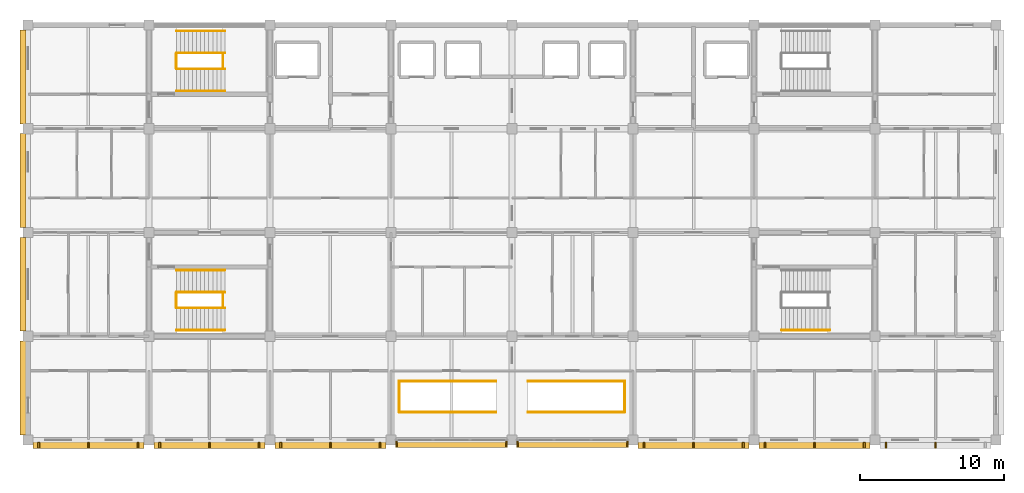
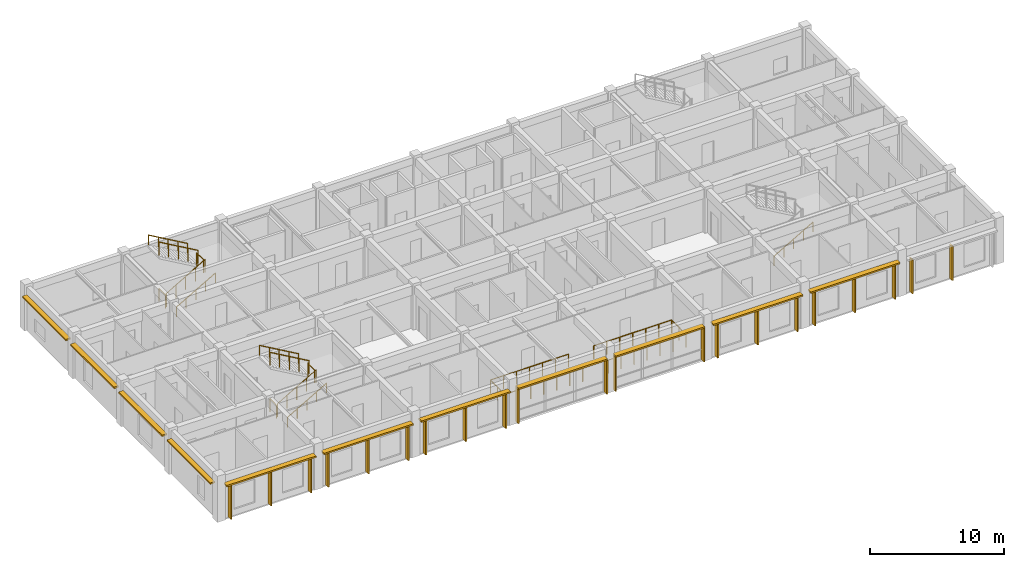
# One storey, part 16 of 17: 32 shading devices, 19 railings.
"""IFC4 building model written with IfcOpenShell, lengths in metres."""

from ifc_helpers import new_model, si_unit, direction, frame, origin, origin_2d, place, context, subcontext, project, spatial, rectangle, circle, extrude, material, type_object, element, save


model = new_model("IFC4")

# Units and contexts
model_context = context("Model", 3, precision=1e-05, world=origin(), true_north=direction((0.0, 1.0)))
body_context = subcontext(model_context, "Body", "Model", "MODEL_VIEW")
ifc_project = project(units=[si_unit("LENGTHUNIT", "METRE"), si_unit("AREAUNIT", "SQUARE_METRE"), si_unit("VOLUMEUNIT", "CUBIC_METRE"), si_unit("PLANEANGLEUNIT", "RADIAN"), si_unit("MASSUNIT", "GRAM", prefix="KILO")], contexts=[model_context])

# Site, building, storey
site_placement = place(None, origin())
site = spatial("IfcSite", under=ifc_project, at=site_placement, CompositionType="ELEMENT")
building_placement = place(site_placement, origin())
building = spatial("IfcBuilding", under=site, at=building_placement, Name="Chengyuan Square Courthouse", CompositionType="ELEMENT")
storey_placement = place(building_placement, frame((0.0, 0.0, 51.89990234375)))
storey = spatial("IfcBuildingStorey", under=building, at=storey_placement, Name="L12", CompositionType="ELEMENT", Elevation=51.89990234375)

# Railings
ifc_material_1 = material(Name="Tempered Glass and Timber Top-Rail Balustrade", Category="wood")
railing_type_1 = type_object("IfcRailingType", Name="RL-02", PredefinedType="BALUSTRADE", material=ifc_material_1)
for number, where, name in (
    (1, (60.68994140625, 105.0, 0.0), "Stair Floor Slot Guard ST-1 L12"),
    (2, (63.949951171875, 105.0, 2.10009765625), "Stair Landing Guard ST-1-L12"),
):
    element("IfcRailing", number, at=place(storey_placement, frame(where)), inside=storey, type_object=railing_type_1, Name=name, PredefinedType="BALUSTRADE", context=body_context, shape_type="SweptSolid", body=[
        extrude(circle(Radius=0.02392578125, at=origin_2d()), frame((0.0, 0.0, 1.17578125), z_axis=(0.0, 1.0, 0.0), x_axis=(-1.0, 0.0, 0.0)), (0.0, 0.0, 1.0), 1.0),
        extrude(circle(Radius=0.02099609375, at=origin_2d()), origin(), (0.0, 0.0, 1.0), 1.15185546875),
        extrude(circle(Radius=0.02099609375, at=origin_2d()), frame((0.0, 1.0, 0.0)), (0.0, 0.0, 1.0), 1.15185546875),
    ])
railing_1_placement = place(storey_placement, frame((60.7099609375, 104.949951171875, 0.16162109375)))
element("IfcRailing", 3, at=railing_1_placement, inside=storey, type_object=railing_type_1, Name="Stair Flight 1 Guard ST-1-L12", PredefinedType="BALUSTRADE", context=body_context, shape_type="SweptSolid", body=[
    extrude(circle(Radius=0.02392578125, at=origin_2d()), frame((0.0, 0.0, 1.17578125), z_axis=(0.866190824863, 0.0, 0.499713372768), x_axis=(0.0, 1.0, 0.0)), (0.0, 0.0, 1.0), 3.879150390625),
    extrude(circle(Radius=0.02099609375, at=origin_2d()), origin(), (0.0, 0.0, 1.0), 1.15185546875),
    extrude(circle(Radius=0.02099609375, at=origin_2d()), frame((0.840087890625, 0.0, 0.484619140625)), (0.0, 0.0, 1.0), 1.15185546875),
    extrude(circle(Radius=0.02099609375, at=origin_2d()), frame((1.68017578125, 0.0, 0.96923828125)), (0.0, 0.0, 1.0), 1.15185546875),
    extrude(circle(Radius=0.02099609375, at=origin_2d()), frame((2.52001953125, 0.0, 1.453857421875)), (0.0, 0.0, 1.0), 1.15185546875),
    extrude(circle(Radius=0.02099609375, at=origin_2d()), frame((3.360107421875, 0.0, 1.9384765625)), (0.0, 0.0, 1.0), 1.15185546875),
])
railing_2_placement = place(storey_placement, frame((64.070068359375, 106.050048828125, 2.26171875)))
element("IfcRailing", 4, at=railing_2_placement, inside=storey, type_object=railing_type_1, Name="Stair Flight 2 Guard ST-1-L12", PredefinedType="BALUSTRADE", context=body_context, shape_type="SweptSolid", body=[
    extrude(circle(Radius=0.02392578125, at=origin_2d()), frame((0.0, 0.0, 1.17578125), z_axis=(-0.866190824863, 0.0, 0.499713372768), x_axis=(0.0, -1.0, 0.0)), (0.0, 0.0, 1.0), 3.879150390625),
    extrude(circle(Radius=0.02099609375, at=origin_2d()), origin(), (0.0, 0.0, 1.0), 1.15185546875),
    extrude(circle(Radius=0.02099609375, at=origin_2d()), frame((-0.840087890625, 0.0, 0.484619140625)), (0.0, 0.0, 1.0), 1.15185546875),
    extrude(circle(Radius=0.02099609375, at=origin_2d()), frame((-1.68017578125, 0.0, 0.96923828125)), (0.0, 0.0, 1.0), 1.15185546875),
    extrude(circle(Radius=0.02099609375, at=origin_2d()), frame((-2.52001953125, 0.0, 1.453857421875)), (0.0, 0.0, 1.0), 1.15185546875),
    extrude(circle(Radius=0.02099609375, at=origin_2d()), frame((-3.360107421875, 0.0, 1.9384765625)), (0.0, 0.0, 1.0), 1.15185546875),
])
for number, where, name in (
    (5, (60.68994140625, 88.39990234375, 0.0), "Stair Floor Slot Guard ST-3 L12"),
    (6, (63.949951171875, 88.39990234375, 2.10009765625), "Stair Landing Guard ST-3-L12"),
):
    element("IfcRailing", number, at=place(storey_placement, frame(where)), inside=storey, type_object=railing_type_1, Name=name, PredefinedType="BALUSTRADE", context=body_context, shape_type="SweptSolid", body=[
        extrude(circle(Radius=0.02392578125, at=origin_2d()), frame((0.0, 0.0, 1.17578125), z_axis=(0.0, 1.0, 0.0), x_axis=(-1.0, 0.0, 0.0)), (0.0, 0.0, 1.0), 1.0),
        extrude(circle(Radius=0.02099609375, at=origin_2d()), origin(), (0.0, 0.0, 1.0), 1.15185546875),
        extrude(circle(Radius=0.02099609375, at=origin_2d()), frame((0.0, 1.0, 0.0)), (0.0, 0.0, 1.0), 1.15185546875),
    ])
railing_3_placement = place(storey_placement, frame((60.7099609375, 88.35009765625, 0.16162109375)))
element("IfcRailing", 7, at=railing_3_placement, inside=storey, type_object=railing_type_1, Name="Stair Flight 1 Guard ST-3-L12", PredefinedType="BALUSTRADE", context=body_context, shape_type="SweptSolid", body=[
    extrude(circle(Radius=0.02392578125, at=origin_2d()), frame((0.0, 0.0, 1.17578125), z_axis=(0.866190824863, 0.0, 0.499713372768), x_axis=(0.0, 1.0, 0.0)), (0.0, 0.0, 1.0), 3.879150390625),
    extrude(circle(Radius=0.02099609375, at=origin_2d()), origin(), (0.0, 0.0, 1.0), 1.15185546875),
    extrude(circle(Radius=0.02099609375, at=origin_2d()), frame((0.840087890625, 0.0, 0.484619140625)), (0.0, 0.0, 1.0), 1.15185546875),
    extrude(circle(Radius=0.02099609375, at=origin_2d()), frame((1.68017578125, 0.0, 0.96923828125)), (0.0, 0.0, 1.0), 1.15185546875),
    extrude(circle(Radius=0.02099609375, at=origin_2d()), frame((2.52001953125, 0.0, 1.453857421875)), (0.0, 0.0, 1.0), 1.15185546875),
    extrude(circle(Radius=0.02099609375, at=origin_2d()), frame((3.360107421875, 0.0, 1.9384765625)), (0.0, 0.0, 1.0), 1.15185546875),
])
railing_4_placement = place(storey_placement, frame((64.070068359375, 89.449951171875, 2.26171875)))
element("IfcRailing", 8, at=railing_4_placement, inside=storey, type_object=railing_type_1, Name="Stair Flight 2 Guard ST-3-L12", PredefinedType="BALUSTRADE", context=body_context, shape_type="SweptSolid", body=[
    extrude(circle(Radius=0.02392578125, at=origin_2d()), frame((0.0, 0.0, 1.17578125), z_axis=(-0.866190824863, 0.0, 0.499713372768), x_axis=(0.0, -1.0, 0.0)), (0.0, 0.0, 1.0), 3.879150390625),
    extrude(circle(Radius=0.02099609375, at=origin_2d()), origin(), (0.0, 0.0, 1.0), 1.15185546875),
    extrude(circle(Radius=0.02099609375, at=origin_2d()), frame((-0.840087890625, 0.0, 0.484619140625)), (0.0, 0.0, 1.0), 1.15185546875),
    extrude(circle(Radius=0.02099609375, at=origin_2d()), frame((-1.68017578125, 0.0, 0.96923828125)), (0.0, 0.0, 1.0), 1.15185546875),
    extrude(circle(Radius=0.02099609375, at=origin_2d()), frame((-2.52001953125, 0.0, 1.453857421875)), (0.0, 0.0, 1.0), 1.15185546875),
    extrude(circle(Radius=0.02099609375, at=origin_2d()), frame((-3.360107421875, 0.0, 1.9384765625)), (0.0, 0.0, 1.0), 1.15185546875),
])
railing_5_placement = place(storey_placement, frame((82.89990234375, 81.1201171875, 0.0)))
element("IfcRailing", 9, at=railing_5_placement, inside=storey, type_object=railing_type_1, Name="Feature Stair Well Guard ST-11E S", PredefinedType="BALUSTRADE", context=body_context, shape_type="SweptSolid", body=[
    extrude(circle(Radius=0.02392578125, at=origin_2d()), frame((0.0, 0.0, 1.17578125), z_axis=(-1.0, 0.0, 0.0), x_axis=(0.0, -1.0, 0.0)), (0.0, 0.0, 1.0), 6.72998046875),
    extrude(circle(Radius=0.02099609375, at=origin_2d()), origin(), (0.0, 0.0, 1.0), 1.15185546875),
    extrude(circle(Radius=0.02099609375, at=origin_2d()), frame((-1.12158203125, 0.0, 0.0)), (0.0, 0.0, 1.0), 1.15185546875),
    extrude(circle(Radius=0.02099609375, at=origin_2d()), frame((-2.243408203125, 0.0, 0.0)), (0.0, 0.0, 1.0), 1.15185546875),
    extrude(circle(Radius=0.02099609375, at=origin_2d()), frame((-3.364990234375, 0.0, 0.0)), (0.0, 0.0, 1.0), 1.15185546875),
    extrude(circle(Radius=0.02099609375, at=origin_2d()), frame((-4.486572265625, 0.0, 0.0)), (0.0, 0.0, 1.0), 1.15185546875),
    extrude(circle(Radius=0.02099609375, at=origin_2d()), frame((-5.6083984375, 0.0, 0.0)), (0.0, 0.0, 1.0), 1.15185546875),
    extrude(circle(Radius=0.02099609375, at=origin_2d()), frame((-6.72998046875, 0.0, 0.0)), (0.0, 0.0, 1.0), 1.15185546875),
])
railing_6_placement = place(storey_placement, frame((76.169921875, 81.1201171875, 0.0)))
element("IfcRailing", 10, at=railing_6_placement, inside=storey, type_object=railing_type_1, Name="Feature Stair Well Guard ST-11E W", PredefinedType="BALUSTRADE", context=body_context, shape_type="SweptSolid", body=[
    extrude(circle(Radius=0.02392578125, at=origin_2d()), frame((0.0, 0.0, 1.17578125), z_axis=(0.0, 1.0, 0.0), x_axis=(-1.0, 0.0, 0.0)), (0.0, 0.0, 1.0), 2.159912109375),
    extrude(circle(Radius=0.02099609375, at=origin_2d()), origin(), (0.0, 0.0, 1.0), 1.15185546875),
    extrude(circle(Radius=0.02099609375, at=origin_2d()), frame((0.0, 1.080078125, 0.0)), (0.0, 0.0, 1.0), 1.15185546875),
    extrude(circle(Radius=0.02099609375, at=origin_2d()), frame((0.0, 2.159912109375, 0.0)), (0.0, 0.0, 1.0), 1.15185546875),
])
for number, where, name in (
    (11, (76.169921875, 83.280029296875, 0.0), "Feature Stair Well Guard ST-11E N"),
    (12, (85.10009765625, 81.1201171875, 0.0), "Feature Stair Well Guard ST-11F S"),
):
    element("IfcRailing", number, at=place(storey_placement, frame(where)), inside=storey, type_object=railing_type_1, Name=name, PredefinedType="BALUSTRADE", context=body_context, shape_type="SweptSolid", body=[
        extrude(circle(Radius=0.02392578125, at=origin_2d()), frame((0.0, 0.0, 1.17578125), z_axis=(1.0, 0.0, 0.0), x_axis=(0.0, 1.0, 0.0)), (0.0, 0.0, 1.0), 6.72998046875),
        extrude(circle(Radius=0.02099609375, at=origin_2d()), origin(), (0.0, 0.0, 1.0), 1.15185546875),
        extrude(circle(Radius=0.02099609375, at=origin_2d()), frame((1.12158203125, 0.0, 0.0)), (0.0, 0.0, 1.0), 1.15185546875),
        extrude(circle(Radius=0.02099609375, at=origin_2d()), frame((2.243408203125, 0.0, 0.0)), (0.0, 0.0, 1.0), 1.15185546875),
        extrude(circle(Radius=0.02099609375, at=origin_2d()), frame((3.364990234375, 0.0, 0.0)), (0.0, 0.0, 1.0), 1.15185546875),
        extrude(circle(Radius=0.02099609375, at=origin_2d()), frame((4.486572265625, 0.0, 0.0)), (0.0, 0.0, 1.0), 1.15185546875),
        extrude(circle(Radius=0.02099609375, at=origin_2d()), frame((5.6083984375, 0.0, 0.0)), (0.0, 0.0, 1.0), 1.15185546875),
        extrude(circle(Radius=0.02099609375, at=origin_2d()), frame((6.72998046875, 0.0, 0.0)), (0.0, 0.0, 1.0), 1.15185546875),
    ])
railing_7_placement = place(storey_placement, frame((91.830078125, 81.1201171875, 0.0)))
element("IfcRailing", 13, at=railing_7_placement, inside=storey, type_object=railing_type_1, Name="Feature Stair Well Guard ST-11F E", PredefinedType="BALUSTRADE", context=body_context, shape_type="SweptSolid", body=[
    extrude(circle(Radius=0.02392578125, at=origin_2d()), frame((0.0, 0.0, 1.17578125), z_axis=(0.0, 1.0, 0.0), x_axis=(-1.0, 0.0, 0.0)), (0.0, 0.0, 1.0), 2.159912109375),
    extrude(circle(Radius=0.02099609375, at=origin_2d()), origin(), (0.0, 0.0, 1.0), 1.15185546875),
    extrude(circle(Radius=0.02099609375, at=origin_2d()), frame((0.0, 1.080078125, 0.0)), (0.0, 0.0, 1.0), 1.15185546875),
    extrude(circle(Radius=0.02099609375, at=origin_2d()), frame((0.0, 2.159912109375, 0.0)), (0.0, 0.0, 1.0), 1.15185546875),
])
railing_8_placement = place(storey_placement, frame((91.830078125, 83.280029296875, 0.0)))
element("IfcRailing", 14, at=railing_8_placement, inside=storey, type_object=railing_type_1, Name="Feature Stair Well Guard ST-11F N", PredefinedType="BALUSTRADE", context=body_context, shape_type="SweptSolid", body=[
    extrude(circle(Radius=0.02392578125, at=origin_2d()), frame((0.0, 0.0, 1.17578125), z_axis=(-1.0, 0.0, 0.0), x_axis=(0.0, -1.0, 0.0)), (0.0, 0.0, 1.0), 6.72998046875),
    extrude(circle(Radius=0.02099609375, at=origin_2d()), origin(), (0.0, 0.0, 1.0), 1.15185546875),
    extrude(circle(Radius=0.02099609375, at=origin_2d()), frame((-1.12158203125, 0.0, 0.0)), (0.0, 0.0, 1.0), 1.15185546875),
    extrude(circle(Radius=0.02099609375, at=origin_2d()), frame((-2.243408203125, 0.0, 0.0)), (0.0, 0.0, 1.0), 1.15185546875),
    extrude(circle(Radius=0.02099609375, at=origin_2d()), frame((-3.364990234375, 0.0, 0.0)), (0.0, 0.0, 1.0), 1.15185546875),
    extrude(circle(Radius=0.02099609375, at=origin_2d()), frame((-4.486572265625, 0.0, 0.0)), (0.0, 0.0, 1.0), 1.15185546875),
    extrude(circle(Radius=0.02099609375, at=origin_2d()), frame((-5.6083984375, 0.0, 0.0)), (0.0, 0.0, 1.0), 1.15185546875),
    extrude(circle(Radius=0.02099609375, at=origin_2d()), frame((-6.72998046875, 0.0, 0.0)), (0.0, 0.0, 1.0), 1.15185546875),
])
ifc_material_2 = material(Name="Stainless Steel S30408 Stair Handrail", Category="steel")
railing_type_2 = type_object("IfcRailingType", Name="RL-04", PredefinedType="HANDRAIL", material=ifc_material_2)
railing_9_placement = place(storey_placement, frame((60.7099609375, 103.419921875, 0.16162109375)))
element("IfcRailing", 15, at=railing_9_placement, inside=storey, type_object=railing_type_2, Name="Stair Flight 1 Handrail ST-1-L12", PredefinedType="HANDRAIL", context=body_context, shape_type="SweptSolid", body=[
    extrude(circle(Radius=0.02392578125, at=origin_2d()), frame((0.0, 0.0, 0.8759765625), z_axis=(0.866190824863, 0.0, 0.499713372768), x_axis=(0.0, 1.0, 0.0)), (0.0, 0.0, 1.0), 3.879150390625),
    extrude(circle(Radius=0.02099609375, at=origin_2d()), origin(), (0.0, 0.0, 1.0), 0.851806640625),
    extrude(circle(Radius=0.02099609375, at=origin_2d()), frame((0.840087890625, 0.0, 0.484619140625)), (0.0, 0.0, 1.0), 0.851806640625),
    extrude(circle(Radius=0.02099609375, at=origin_2d()), frame((1.68017578125, 0.0, 0.96923828125)), (0.0, 0.0, 1.0), 0.851806640625),
    extrude(circle(Radius=0.02099609375, at=origin_2d()), frame((2.52001953125, 0.0, 1.453857421875)), (0.0, 0.0, 1.0), 0.851806640625),
    extrude(circle(Radius=0.02099609375, at=origin_2d()), frame((3.360107421875, 0.0, 1.9384765625)), (0.0, 0.0, 1.0), 0.851806640625),
])
railing_10_placement = place(storey_placement, frame((64.070068359375, 107.580078125, 2.26171875)))
element("IfcRailing", 16, at=railing_10_placement, inside=storey, type_object=railing_type_2, Name="Stair Flight 2 Handrail ST-1-L12", PredefinedType="HANDRAIL", context=body_context, shape_type="SweptSolid", body=[
    extrude(circle(Radius=0.02392578125, at=origin_2d()), frame((0.0, 0.0, 0.8759765625), z_axis=(-0.866190824863, 0.0, 0.499713372768), x_axis=(0.0, -1.0, 0.0)), (0.0, 0.0, 1.0), 3.879150390625),
    extrude(circle(Radius=0.02099609375, at=origin_2d()), origin(), (0.0, 0.0, 1.0), 0.851806640625),
    extrude(circle(Radius=0.02099609375, at=origin_2d()), frame((-0.840087890625, 0.0, 0.484619140625)), (0.0, 0.0, 1.0), 0.851806640625),
    extrude(circle(Radius=0.02099609375, at=origin_2d()), frame((-1.68017578125, 0.0, 0.96923828125)), (0.0, 0.0, 1.0), 0.851806640625),
    extrude(circle(Radius=0.02099609375, at=origin_2d()), frame((-2.52001953125, 0.0, 1.453857421875)), (0.0, 0.0, 1.0), 0.851806640625),
    extrude(circle(Radius=0.02099609375, at=origin_2d()), frame((-3.360107421875, 0.0, 1.9384765625)), (0.0, 0.0, 1.0), 0.851806640625),
])
railing_11_placement = place(storey_placement, frame((60.7099609375, 86.820068359375, 0.16162109375)))
element("IfcRailing", 17, at=railing_11_placement, inside=storey, type_object=railing_type_2, Name="Stair Flight 1 Handrail ST-3-L12", PredefinedType="HANDRAIL", context=body_context, shape_type="SweptSolid", body=[
    extrude(circle(Radius=0.02392578125, at=origin_2d()), frame((0.0, 0.0, 0.8759765625), z_axis=(0.866190824863, 0.0, 0.499713372768), x_axis=(0.0, 1.0, 0.0)), (0.0, 0.0, 1.0), 3.879150390625),
    extrude(circle(Radius=0.02099609375, at=origin_2d()), origin(), (0.0, 0.0, 1.0), 0.851806640625),
    extrude(circle(Radius=0.02099609375, at=origin_2d()), frame((0.840087890625, 0.0, 0.484619140625)), (0.0, 0.0, 1.0), 0.851806640625),
    extrude(circle(Radius=0.02099609375, at=origin_2d()), frame((1.68017578125, 0.0, 0.96923828125)), (0.0, 0.0, 1.0), 0.851806640625),
    extrude(circle(Radius=0.02099609375, at=origin_2d()), frame((2.52001953125, 0.0, 1.453857421875)), (0.0, 0.0, 1.0), 0.851806640625),
    extrude(circle(Radius=0.02099609375, at=origin_2d()), frame((3.360107421875, 0.0, 1.9384765625)), (0.0, 0.0, 1.0), 0.851806640625),
])
railing_12_placement = place(storey_placement, frame((64.070068359375, 90.97998046875, 2.26171875)))
element("IfcRailing", 18, at=railing_12_placement, inside=storey, type_object=railing_type_2, Name="Stair Flight 2 Handrail ST-3-L12", PredefinedType="HANDRAIL", context=body_context, shape_type="SweptSolid", body=[
    extrude(circle(Radius=0.02392578125, at=origin_2d()), frame((0.0, 0.0, 0.8759765625), z_axis=(-0.866190824863, 0.0, 0.499713372768), x_axis=(0.0, -1.0, 0.0)), (0.0, 0.0, 1.0), 3.879150390625),
    extrude(circle(Radius=0.02099609375, at=origin_2d()), origin(), (0.0, 0.0, 1.0), 0.851806640625),
    extrude(circle(Radius=0.02099609375, at=origin_2d()), frame((-0.840087890625, 0.0, 0.484619140625)), (0.0, 0.0, 1.0), 0.851806640625),
    extrude(circle(Radius=0.02099609375, at=origin_2d()), frame((-1.68017578125, 0.0, 0.96923828125)), (0.0, 0.0, 1.0), 0.851806640625),
    extrude(circle(Radius=0.02099609375, at=origin_2d()), frame((-2.52001953125, 0.0, 1.453857421875)), (0.0, 0.0, 1.0), 0.851806640625),
    extrude(circle(Radius=0.02099609375, at=origin_2d()), frame((-3.360107421875, 0.0, 1.9384765625)), (0.0, 0.0, 1.0), 0.851806640625),
])
railing_13_placement = place(storey_placement, frame((102.7099609375, 86.820068359375, 0.16162109375)))
element("IfcRailing", 19, at=railing_13_placement, inside=storey, type_object=railing_type_2, Name="Stair Flight 1 Handrail ST-4-L12", PredefinedType="HANDRAIL", context=body_context, shape_type="SweptSolid", body=[
    extrude(circle(Radius=0.02392578125, at=origin_2d()), frame((0.0, 0.0, 0.8759765625), z_axis=(0.866190824863, 0.0, 0.499713372768), x_axis=(0.0, 1.0, 0.0)), (0.0, 0.0, 1.0), 3.879150390625),
    extrude(circle(Radius=0.02099609375, at=origin_2d()), origin(), (0.0, 0.0, 1.0), 0.851806640625),
    extrude(circle(Radius=0.02099609375, at=origin_2d()), frame((0.840087890625, 0.0, 0.484619140625)), (0.0, 0.0, 1.0), 0.851806640625),
    extrude(circle(Radius=0.02099609375, at=origin_2d()), frame((1.68017578125, 0.0, 0.96923828125)), (0.0, 0.0, 1.0), 0.851806640625),
    extrude(circle(Radius=0.02099609375, at=origin_2d()), frame((2.52001953125, 0.0, 1.453857421875)), (0.0, 0.0, 1.0), 0.851806640625),
    extrude(circle(Radius=0.02099609375, at=origin_2d()), frame((3.360107421875, 0.0, 1.9384765625)), (0.0, 0.0, 1.0), 0.851806640625),
])

# Shading devices
ifc_material_3 = material(Name="Glulam TCt28 Solar Shading Fin", Category="wood")
shading_device_type_1 = type_object("IfcShadingDeviceType", Name="SHD-01", PredefinedType="JALOUSIE", material=ifc_material_3)
for number, where, z_axis, x_axis, name in (
    (20, (75.982421875, 78.907958984375, 0.0400390625), (0.0, 0.0, 1.0), (0.0, 1.0, 0.0), "Glulam Solar Fin SHD-L12-0849"),
    (21, (83.617431640625, 78.907958984375, 0.0400390625), (0.0, 0.0, 1.0), (0.0, 1.0, 0.0), "Glulam Solar Fin SHD-L12-0850"),
    (22, (84.382568359375, 78.907958984375, 0.0400390625), (0.0, 0.0, 1.0), (0.0, 1.0, 0.0), "Glulam Solar Fin SHD-L12-0852"),
    (23, (92.017578125, 78.907958984375, 0.0400390625), (0.0, 0.0, 1.0), (0.0, 1.0, 0.0), "Glulam Solar Fin SHD-L12-0853"),
):
    element("IfcShadingDevice", number, at=place(storey_placement, frame(where, z_axis=z_axis, x_axis=x_axis)), inside=storey, type_object=shading_device_type_1, Name=name, PredefinedType="JALOUSIE", context=body_context, shape_type="SweptSolid", body=[
        extrude(rectangle(XDim=0.419921875, YDim=0.094970703125, at=origin_2d()), origin(), (0.0, 0.0, 1.0), 3.10009765625),
    ])
ifc_material_4 = material(Name="Glulam TCt28 Sunshade Louvre", Category="wood")
shading_device_type_2 = type_object("IfcShadingDeviceType", Name="SHD-02", PredefinedType="AWNING", material=ifc_material_4)
for number, where, z_axis, x_axis, name in (
    (24, (54.60009765625, 78.837890625, 3.14013671875), (0.0, 0.0, 1.0), (1.0, 0.0, 0.0), "Glulam Sunshade Cornice SHD-L12-0836"),
    (25, (63.0, 78.837890625, 3.14013671875), (0.0, 0.0, 1.0), (1.0, 0.0, 0.0), "Glulam Sunshade Cornice SHD-L12-0844"),
    (26, (71.39990234375, 78.837890625, 3.14013671875), (0.0, 0.0, 1.0), (1.0, 0.0, 0.0), "Glulam Sunshade Cornice SHD-L12-0848"),
):
    element("IfcShadingDevice", number, at=place(storey_placement, frame(where, z_axis=z_axis, x_axis=x_axis)), inside=storey, type_object=shading_device_type_2, Name=name, PredefinedType="AWNING", context=body_context, shape_type="SweptSolid", body=[
        extrude(rectangle(XDim=7.7099609375, YDim=0.43994140625, at=origin_2d()), origin(), (0.0, 0.0, 1.0), 0.139892578125),
    ])
for number, where, z_axis, x_axis, name in (
    (27, (79.800048828125, 78.907958984375, 3.14013671875), (0.0, 0.0, 1.0), (1.0, 0.0, 0.0), "Glulam Sunshade Louvre SHD-L12-0851"),
    (28, (88.199951171875, 78.907958984375, 3.14013671875), (0.0, 0.0, 1.0), (1.0, 0.0, 0.0), "Glulam Sunshade Louvre SHD-L12-0854"),
):
    element("IfcShadingDevice", number, at=place(storey_placement, frame(where, z_axis=z_axis, x_axis=x_axis)), inside=storey, type_object=shading_device_type_2, Name=name, PredefinedType="AWNING", context=body_context, shape_type="SweptSolid", body=[
        extrude(rectangle(XDim=7.699951171875, YDim=0.43994140625, at=origin_2d()), origin(), (0.0, 0.0, 1.0), 0.139892578125),
    ])
for number, where, z_axis, x_axis, name in (
    (29, (96.60009765625, 78.837890625, 3.14013671875), (0.0, 0.0, 1.0), (1.0, 0.0, 0.0), "Glulam Sunshade Cornice SHD-L12-0858"),
    (30, (105.0, 78.837890625, 3.14013671875), (0.0, 0.0, 1.0), (1.0, 0.0, 0.0), "Glulam Sunshade Cornice SHD-L12-0862"),
):
    element("IfcShadingDevice", number, at=place(storey_placement, frame(where, z_axis=z_axis, x_axis=x_axis)), inside=storey, type_object=shading_device_type_2, Name=name, PredefinedType="AWNING", context=body_context, shape_type="SweptSolid", body=[
        extrude(rectangle(XDim=7.7099609375, YDim=0.43994140625, at=origin_2d()), origin(), (0.0, 0.0, 1.0), 0.139892578125),
    ])
ifc_material_5 = material(Name="Glulam TCt28 Facade Sunshade", Category="wood")
shading_device_type_3 = type_object("IfcShadingDeviceType", Name="SHD-03", PredefinedType="AWNING", material=ifc_material_5)
for number, where, z_axis, x_axis, name in (
    (31, (50.048095703125, 82.800048828125, 3.1201171875), (0.0, 0.0, 1.0), (0.0, 1.0, 0.0), "Glulam Facade Sunshade SHD-L12-0837"),
    (32, (50.048095703125, 90.0, 3.1201171875), (0.0, 0.0, 1.0), (0.0, 1.0, 0.0), "Glulam Facade Sunshade SHD-L12-0838"),
    (33, (50.048095703125, 97.199951171875, 3.1201171875), (0.0, 0.0, 1.0), (0.0, 1.0, 0.0), "Glulam Facade Sunshade SHD-L12-0839"),
    (34, (50.048095703125, 104.39990234375, 3.1201171875), (0.0, 0.0, 1.0), (0.0, 1.0, 0.0), "Glulam Facade Sunshade SHD-L12-0840"),
):
    element("IfcShadingDevice", number, at=place(storey_placement, frame(where, z_axis=z_axis, x_axis=x_axis)), inside=storey, type_object=shading_device_type_3, Name=name, PredefinedType="AWNING", context=body_context, shape_type="SweptSolid", body=[
        extrude(rectangle(XDim=6.510009765625, YDim=0.39990234375, at=origin_2d()), origin(), (0.0, 0.0, 1.0), 0.139892578125),
    ])
ifc_material_6 = material(Name="Glulam TCt28 Chamber Solar Fin", Category="wood")
shading_device_type_4 = type_object("IfcShadingDeviceType", Name="SHD-04", PredefinedType="JALOUSIE", material=ifc_material_6)
for number, where, z_axis, x_axis, name in (
    (35, (51.14990234375, 78.837890625, 0.0400390625), (0.0, 0.0, 1.0), (0.0, 1.0, 0.0), "Glulam Chamber Fin SHD-L12-0833"),
    (36, (54.60009765625, 78.837890625, 0.0400390625), (0.0, 0.0, 1.0), (0.0, 1.0, 0.0), "Glulam Chamber Fin SHD-L12-0834"),
    (37, (58.050048828125, 78.837890625, 0.0400390625), (0.0, 0.0, 1.0), (0.0, 1.0, 0.0), "Glulam Chamber Fin SHD-L12-0835"),
    (38, (59.550048828125, 78.837890625, 0.0400390625), (0.0, 0.0, 1.0), (0.0, 1.0, 0.0), "Glulam Chamber Fin SHD-L12-0841"),
    (39, (63.0, 78.837890625, 0.0400390625), (0.0, 0.0, 1.0), (0.0, 1.0, 0.0), "Glulam Chamber Fin SHD-L12-0842"),
    (40, (66.449951171875, 78.837890625, 0.0400390625), (0.0, 0.0, 1.0), (0.0, 1.0, 0.0), "Glulam Chamber Fin SHD-L12-0843"),
    (41, (67.949951171875, 78.837890625, 0.0400390625), (0.0, 0.0, 1.0), (0.0, 1.0, 0.0), "Glulam Chamber Fin SHD-L12-0845"),
    (42, (71.39990234375, 78.837890625, 0.0400390625), (0.0, 0.0, 1.0), (0.0, 1.0, 0.0), "Glulam Chamber Fin SHD-L12-0846"),
    (43, (74.85009765625, 78.837890625, 0.0400390625), (0.0, 0.0, 1.0), (0.0, 1.0, 0.0), "Glulam Chamber Fin SHD-L12-0847"),
    (44, (93.14990234375, 78.837890625, 0.0400390625), (0.0, 0.0, 1.0), (0.0, 1.0, 0.0), "Glulam Chamber Fin SHD-L12-0855"),
    (45, (96.60009765625, 78.837890625, 0.0400390625), (0.0, 0.0, 1.0), (0.0, 1.0, 0.0), "Glulam Chamber Fin SHD-L12-0856"),
    (46, (100.050048828125, 78.837890625, 0.0400390625), (0.0, 0.0, 1.0), (0.0, 1.0, 0.0), "Glulam Chamber Fin SHD-L12-0857"),
    (47, (101.550048828125, 78.837890625, 0.0400390625), (0.0, 0.0, 1.0), (0.0, 1.0, 0.0), "Glulam Chamber Fin SHD-L12-0859"),
    (48, (105.0, 78.837890625, 0.0400390625), (0.0, 0.0, 1.0), (0.0, 1.0, 0.0), "Glulam Chamber Fin SHD-L12-0860"),
    (49, (108.449951171875, 78.837890625, 0.0400390625), (0.0, 0.0, 1.0), (0.0, 1.0, 0.0), "Glulam Chamber Fin SHD-L12-0861"),
    (50, (109.949951171875, 78.837890625, 0.0400390625), (0.0, 0.0, 1.0), (0.0, 1.0, 0.0), "Glulam Chamber Fin SHD-L12-0863"),
    (51, (113.39990234375, 78.837890625, 0.0400390625), (0.0, 0.0, 1.0), (0.0, 1.0, 0.0), "Glulam Chamber Fin SHD-L12-0864"),
):
    element("IfcShadingDevice", number, at=place(storey_placement, frame(where, z_axis=z_axis, x_axis=x_axis)), inside=storey, type_object=shading_device_type_4, Name=name, PredefinedType="JALOUSIE", context=body_context, shape_type="SweptSolid", body=[
        extrude(rectangle(XDim=0.419921875, YDim=0.110107421875, at=origin_2d()), origin(), (0.0, 0.0, 1.0), 3.10009765625),
    ])

save(model, "model.ifc")
